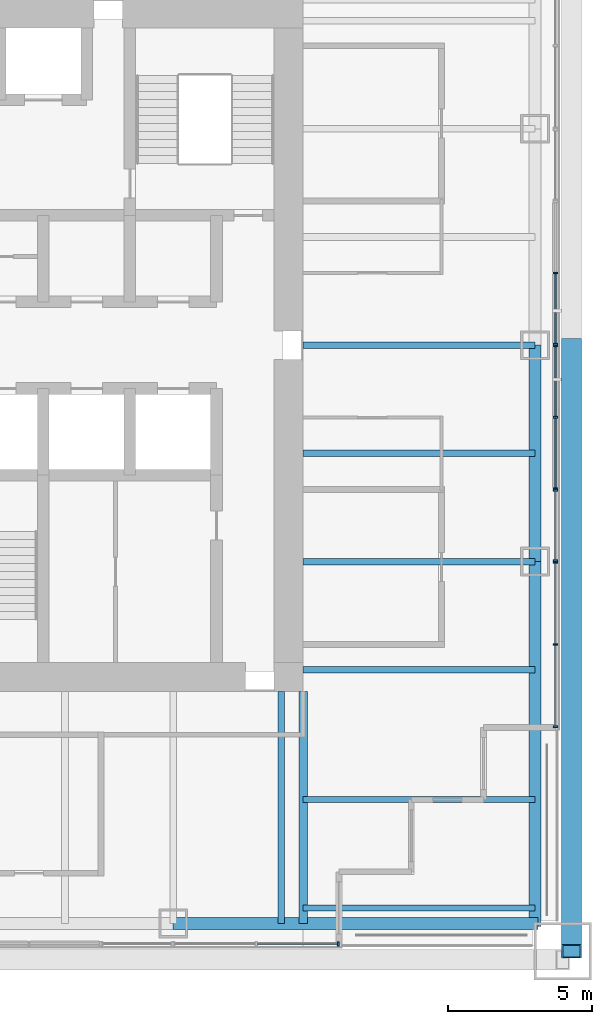
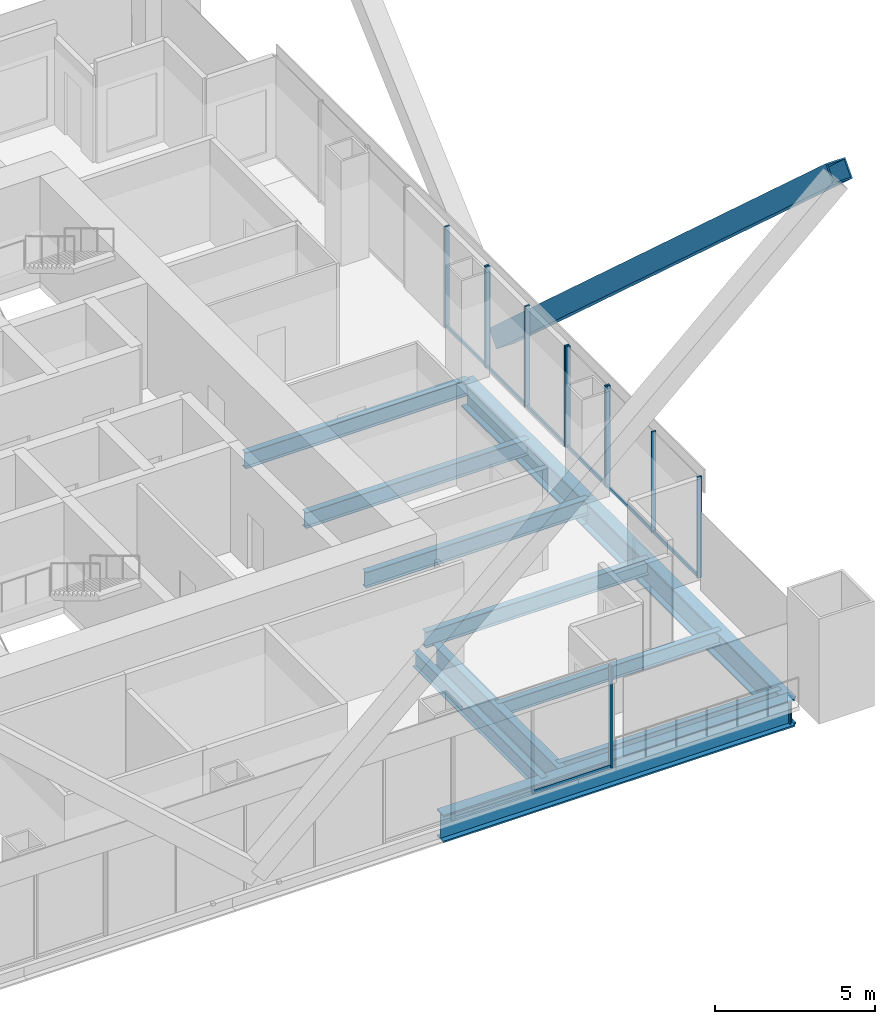
# One storey, part 7 of 17: 19 members, 11 beams, 5 elements without a shape of their own.
"""IFC4 building model written with IfcOpenShell, lengths in metres."""

import ifcopenshell
import ifcopenshell.guid

model = None  # the IFC model being written
_history = None  # IfcOwnerHistory: only IFC2X3 demands one
_inside = {}  # id of a spatial element -> (the spatial element, [elements in it])
_under = {}  # id of a project, library or spatial element -> (it, [spatial elements below it])
_declared = {}  # id of a project -> (the project, [libraries it declares])
_typed = {}  # id of a type object -> (the type object, [elements of that type])
_made_of = {}  # id of a material, layer set ... -> (it, [elements and type objects made of it])


def new_model(schema):
    """Start an empty IFC model of exactly this schema.

    Asked for "IFC4X3", IfcOpenShell would pick the latest addendum, in which some entities
    have other attributes; the version numbers below select the first issue.
    IFC2X3 requires an IfcOwnerHistory on every rooted entity: one is made here for all.
    """
    global model, _history
    if schema == "IFC4X3":
        model = ifcopenshell.file(schema_version=(4, 3, 0, 0))
    else:
        model = ifcopenshell.file(schema=schema)
    _inside.clear()
    _under.clear()
    _declared.clear()
    _typed.clear()
    _made_of.clear()
    _history = None
    if model.schema == "IFC2X3":
        org = make("IfcOrganization", Name="unknown")
        user = make(
            "IfcPersonAndOrganization",
            ThePerson=make("IfcPerson", FamilyName="unknown"),
            TheOrganization=org,
        )
        app = make(
            "IfcApplication",
            ApplicationDeveloper=org,
            Version="unknown",
            ApplicationFullName="unknown",
            ApplicationIdentifier="unknown",
        )
        _history = make(
            "IfcOwnerHistory",
            OwningUser=user,
            OwningApplication=app,
            ChangeAction="ADDED",
            CreationDate=0,
        )
    return model


def make(cls, **values):
    """One entity of the class cls with the attributes given. An attribute that is None is left unset."""
    return model.create_entity(
        cls, **{name: value for name, value in values.items() if value is not None}
    )


def rooted(cls, **values):
    """An entity with a GlobalId (a new one), such as an element, a storey or a relation."""
    return make(cls, GlobalId=ifcopenshell.guid.new(), OwnerHistory=_history, **values)


def si_unit(unit_type, name, prefix=None):
    """IfcSIUnit, for example si_unit("LENGTHUNIT", "METRE", prefix="MILLI")."""
    return make("IfcSIUnit", UnitType=unit_type, Prefix=prefix, Name=name)


def assignment(units):
    """IfcUnitAssignment: the units of a project."""
    return None if units is None else make("IfcUnitAssignment", Units=units)


def point(xyz):
    """IfcCartesianPoint."""
    return None if xyz is None else make("IfcCartesianPoint", Coordinates=xyz)


def direction(xyz):
    """IfcDirection."""
    return None if xyz is None else make("IfcDirection", DirectionRatios=xyz)


def frame(location, z_axis=None, x_axis=None):
    """IfcAxis2Placement3D, a coordinate frame: its origin and axes. An axis left out is left unset."""
    return make(
        "IfcAxis2Placement3D",
        Location=point(location),
        Axis=direction(z_axis),
        RefDirection=direction(x_axis),
    )


def frame_2d(location, x_axis=None):
    """IfcAxis2Placement2D, a coordinate frame in the plane: its origin and x axis."""
    return make(
        "IfcAxis2Placement2D", Location=point(location), RefDirection=direction(x_axis)
    )


def origin():
    """The frame at (0, 0, 0) with its axes left unset."""
    return frame((0.0, 0.0, 0.0))


def origin_2d():
    """The frame at (0, 0) in the plane with its x axis left unset."""
    return frame_2d((0.0, 0.0))


def place(relative_to, where):
    """IfcLocalPlacement: puts the frame where relative to a parent placement (None: the world)."""
    return make(
        "IfcLocalPlacement", PlacementRelTo=relative_to, RelativePlacement=where
    )


def context(
    kind, dimensions, precision=None, world=None, true_north=None, identifier=None
):
    """IfcGeometricRepresentationContext, for example the 3D "Model" context."""
    return make(
        "IfcGeometricRepresentationContext",
        ContextIdentifier=identifier,
        ContextType=kind,
        CoordinateSpaceDimension=dimensions,
        Precision=precision,
        WorldCoordinateSystem=world,
        TrueNorth=true_north,
    )


def subcontext(parent, identifier, kind, view, scale=None):
    """IfcGeometricRepresentationSubContext, for example "Body" below "Model"."""
    return make(
        "IfcGeometricRepresentationSubContext",
        ContextIdentifier=identifier,
        ContextType=kind,
        ParentContext=parent,
        TargetScale=scale,
        TargetView=view,
    )


def project(units=None, contexts=None):
    """IfcProject with its units and contexts."""
    return rooted(
        "IfcProject",
        Name="project",
        RepresentationContexts=contexts,
        UnitsInContext=assignment(units),
    )


def spatial(cls, under=None, at=None, **own):
    """A site, building, storey or space (cls), placed at a placement, below another one or the project."""
    s = rooted(cls, ObjectPlacement=at, **own)
    if under is not None:
        _under.setdefault(under.id(), (under, []))[1].append(s)
    return s


def profile(cls, at=None, kind="AREA", **sizes):
    """A parametric profile (cls). Its sizes go by their IFC names, for example OverallWidth=200.0."""
    return make(cls, ProfileType=kind, Position=at, **sizes)


def rectangle(**sizes):
    """IfcRectangleProfileDef."""
    return profile("IfcRectangleProfileDef", **sizes)


def hollow_rectangle(**sizes):
    """IfcRectangleHollowProfileDef."""
    return profile("IfcRectangleHollowProfileDef", **sizes)


def i_section(**sizes):
    """IfcIShapeProfileDef."""
    return profile("IfcIShapeProfileDef", **sizes)


def extrude(swept, where, along, depth):
    """IfcExtrudedAreaSolid: the profile swept, set in the frame where, extruded along a direction by depth."""
    return make(
        "IfcExtrudedAreaSolid",
        SweptArea=swept,
        Position=where,
        ExtrudedDirection=direction(along),
        Depth=depth,
    )


def shape(context_of_items, identifier, shape_type, items):
    """IfcShapeRepresentation: the items that make up one representation, for example the "Body"."""
    return make(
        "IfcShapeRepresentation",
        ContextOfItems=context_of_items,
        RepresentationIdentifier=identifier,
        RepresentationType=shape_type,
        Items=items,
    )


def material(Name=None, Category=None):
    """IfcMaterial."""
    return make("IfcMaterial", Name=Name, Category=Category)


def material_profile(
    of_material, cross_section, Name=None, Category=None, Priority=None
):
    """IfcMaterialProfile: a cross section and its material."""
    return make(
        "IfcMaterialProfile",
        Name=Name,
        Material=of_material,
        Profile=cross_section,
        Priority=Priority,
        Category=Category,
    )


def profile_set(profiles, Name=None, composite=None):
    """IfcMaterialProfileSet."""
    return make(
        "IfcMaterialProfileSet",
        Name=Name,
        MaterialProfiles=profiles,
        CompositeProfile=composite,
    )


def made_of(thing, what):
    """Note that an element or type object is made of a material, layer set ...; save() writes the relation."""
    if what is not None:
        _made_of.setdefault(what.id(), (what, []))[1].append(thing)
    return thing


def type_object(cls, material=None, **own):
    """A type object (cls), such as IfcWallType, which elements share."""
    return made_of(rooted(cls, **own), material)


def element(
    cls,
    number,
    at=None,
    inside=None,
    cuts=None,
    type_object=None,
    material=None,
    context=None,
    identifier="Body",
    shape_type=None,
    held_by="IfcProductDefinitionShape",
    body=None,
    shapes=None,
    **own,
):
    """One element of the class cls, such as IfcWall. Its Tag is "e" and its number.

    at: its placement. inside: the storey or other place that contains it. cuts: it is an
    opening in that element (IfcRelVoidsElement). A single representation is given by context,
    identifier, shape_type and body (its items); several are given by shapes. held_by: the class
    of the entity that holds the representations. save() writes the other relations.
    """
    e = rooted(cls, Tag="e%d" % number, ObjectPlacement=at, **own)
    if body is not None:
        shapes = [shape(context, identifier, shape_type, body)]
    if shapes is not None:
        e.Representation = make(held_by, Representations=shapes)
    if inside is not None:
        _inside.setdefault(inside.id(), (inside, []))[1].append(e)
    if cuts is not None:
        rooted(
            "IfcRelVoidsElement", RelatingBuildingElement=cuts, RelatedOpeningElement=e
        )
    if type_object is not None:
        _typed.setdefault(type_object.id(), (type_object, []))[1].append(e)
    return made_of(e, material)


def aggregate(whole, parts):
    """IfcRelAggregates: a whole, such as a stair, and the parts it consists of."""
    return rooted("IfcRelAggregates", RelatingObject=whole, RelatedObjects=parts)


def save(model, path):
    """Write the relations noted so far, then the file.

    IfcRelAggregates (storeys below a building ...), IfcRelContainedInSpatialStructure (elements
    in a storey), IfcRelDefinesByType, IfcRelAssociatesMaterial and IfcRelDeclares: one each for
    every whole, place, type object, material and project.
    """
    for whole, parts in _under.values():
        aggregate(whole, parts)
    for where, things in _inside.values():
        rooted(
            "IfcRelContainedInSpatialStructure",
            RelatedElements=things,
            RelatingStructure=where,
        )
    for kind, things in _typed.values():
        rooted("IfcRelDefinesByType", RelatedObjects=things, RelatingType=kind)
    for what, things in _made_of.values():
        rooted("IfcRelAssociatesMaterial", RelatedObjects=things, RelatingMaterial=what)
    for by, libraries in _declared.values():
        rooted("IfcRelDeclares", RelatingContext=by, RelatedDefinitions=libraries)
    model.write(path)


model = new_model("IFC4")

# Units and contexts
model_context = context("Model", 3, precision=1e-05, world=origin(), true_north=direction((0.0, 1.0)))
body_context = subcontext(model_context, "Body", "Model", "MODEL_VIEW")
ifc_project = project(units=[si_unit("LENGTHUNIT", "METRE"), si_unit("AREAUNIT", "SQUARE_METRE"), si_unit("VOLUMEUNIT", "CUBIC_METRE"), si_unit("PLANEANGLEUNIT", "RADIAN"), si_unit("MASSUNIT", "GRAM", prefix="KILO")], contexts=[model_context])

# Site, building, storey
site_placement = place(None, origin())
site = spatial("IfcSite", under=ifc_project, at=site_placement, CompositionType="ELEMENT")
building_placement = place(site_placement, origin())
building = spatial("IfcBuilding", under=site, at=building_placement, Name="Tarangal Relay Tower", CompositionType="ELEMENT")
storey_placement = place(building_placement, frame((0.0, 0.0, 315.89990234375)))
storey = spatial("IfcBuildingStorey", under=building, at=storey_placement, Name="L70", CompositionType="ELEMENT", Elevation=315.89990234375)

# Beams
ifc_material_1 = material(Name="Steel ASTM A992", Category="steel")
ifc_material_profile_1 = material_profile(ifc_material_1, i_section(OverallWidth=0.209228515625, OverallDepth=0.533447265625, WebThickness=0.01025390625, FlangeThickness=0.015625, at=origin_2d()), Name="W21X62")
ifc_profile_set_1 = profile_set([ifc_material_profile_1], Name="Steel ASTM A992")
beam_type_1 = type_object("IfcBeamType", Name="Corner beam W21X62", PredefinedType="JOIST", material=ifc_profile_set_1)
for number, where, z_axis, x_axis, name in (
    (1, (12.0, -15.75, -0.41650390625), (1.0, 0.0, 0.0), (0.0, 1.0, 0.0), "Corner beam CB12 E L70"),
    (2, (12.0, -19.5, -0.41650390625), (1.0, 0.0, 0.0), (0.0, 1.0, 0.0), "Corner beam CB12 E L70"),
):
    element("IfcBeam", number, at=place(storey_placement, frame(where, z_axis=z_axis, x_axis=x_axis)), inside=storey, type_object=beam_type_1, Name=name, PredefinedType="JOIST", context=body_context, shape_type="SweptSolid", body=[
        extrude(i_section(OverallWidth=0.209228515625, OverallDepth=0.533447265625, WebThickness=0.01025390625, FlangeThickness=0.015625, at=origin_2d()), origin(), (0.0, 0.0, 1.0), 8.0400390625),
    ])
ifc_material_profile_2 = material_profile(ifc_material_1, i_section(OverallWidth=0.2919921875, OverallDepth=0.8408203125, WebThickness=0.0146484375, FlangeThickness=0.021728515625, at=origin_2d()), Name="W33X130")
ifc_profile_set_2 = profile_set([ifc_material_profile_2], Name="Steel ASTM A992")
beam_type_2 = type_object("IfcBeamType", Name="Corner girder W33X130", PredefinedType="BEAM", material=ifc_profile_set_2)
beam_1_placement = place(storey_placement, frame((12.0, -12.0, -0.5703125), z_axis=(0.0, -1.0, 0.0), x_axis=(1.0, 0.0, 0.0)))
element("IfcBeam", 3, at=beam_1_placement, inside=storey, type_object=beam_type_2, Name="Corner girder CG5 E L70", PredefinedType="BEAM", context=body_context, shape_type="SweptSolid", body=[
    extrude(i_section(OverallWidth=0.2919921875, OverallDepth=0.8408203125, WebThickness=0.0146484375, FlangeThickness=0.021728515625, at=origin_2d()), origin(), (0.0, 0.0, 1.0), 8.0400390625),
])
ifc_material_profile_3 = material_profile(ifc_material_1, i_section(OverallWidth=0.41162109375, OverallDepth=1.049072265625, WebThickness=0.033935546875, FlangeThickness=0.059814453125, at=origin_2d()), Name="W40X431")
ifc_profile_set_3 = profile_set([ifc_material_profile_3], Name="Steel ASTM A992")
beam_type_3 = type_object("IfcBeamType", Name="Edge girder W40X431", PredefinedType="SPANDREL", material=ifc_profile_set_3)
beam_2_placement = place(storey_placement, frame((20.0400390625, 0.0, -0.67431640625), z_axis=(0.0, -1.0, 0.0), x_axis=(1.0, 0.0, 0.0)))
element("IfcBeam", 4, at=beam_2_placement, inside=storey, type_object=beam_type_3, Name="Edge girder EG1 E L70", PredefinedType="SPANDREL", context=body_context, shape_type="SweptSolid", body=[
    extrude(i_section(OverallWidth=0.41162109375, OverallDepth=1.049072265625, WebThickness=0.033935546875, FlangeThickness=0.059814453125, at=origin_2d()), origin(), (0.0, 0.0, 1.0), 7.5),
])
for number, where, z_axis, x_axis, name in (
    (5, (20.0400390625, -7.5, -0.67431640625), (0.0, -1.0, 0.0), (1.0, 0.0, 0.0), "Edge girder EG1 E L70"),
    (6, (20.14990234375, -20.0400390625, -0.67431640625), (-1.0, 0.0, 0.0), (0.0, -1.0, 0.0), "Edge girder EG1 S L70"),
):
    element("IfcBeam", number, at=place(storey_placement, frame(where, z_axis=z_axis, x_axis=x_axis)), inside=storey, type_object=beam_type_3, Name=name, PredefinedType="SPANDREL", context=body_context, shape_type="SweptSolid", body=[
        extrude(i_section(OverallWidth=0.41162109375, OverallDepth=1.049072265625, WebThickness=0.033935546875, FlangeThickness=0.059814453125, at=origin_2d()), origin(), (0.0, 0.0, 1.0), 12.64990234375),
    ])
ifc_material_profile_4 = material_profile(ifc_material_1, i_section(OverallWidth=0.228271484375, OverallDepth=0.607177734375, WebThickness=0.01123046875, FlangeThickness=0.017333984375, at=origin_2d()), Name="W24X76")
ifc_profile_set_4 = profile_set([ifc_material_profile_4], Name="Steel ASTM A992")
beam_type_4 = type_object("IfcBeamType", Name="Floor beam W24X76", PredefinedType="BEAM", material=ifc_profile_set_4)
for number, where, z_axis, x_axis, name in (
    (7, (12.0, 0.0, -0.453369140625), (1.0, 0.0, 0.0), (0.0, 1.0, 0.0), "Floor beam RB5 E L70"),
    (8, (12.0, -3.75, -0.453369140625), (1.0, 0.0, 0.0), (0.0, 1.0, 0.0), "Floor beam RB5 E L70"),
    (9, (12.0, -7.5, -0.453369140625), (1.0, 0.0, 0.0), (0.0, 1.0, 0.0), "Floor beam RB5 E L70"),
    (10, (12.0, -11.25, -0.453369140625), (1.0, 0.0, 0.0), (0.0, 1.0, 0.0), "Floor beam RB5 E L70"),
    (11, (11.25, -12.0, -0.453369140625), (0.0, -1.0, 0.0), (1.0, 0.0, 0.0), "Floor beam RB5 S L70"),
):
    element("IfcBeam", number, at=place(storey_placement, frame(where, z_axis=z_axis, x_axis=x_axis)), inside=storey, type_object=beam_type_4, Name=name, PredefinedType="BEAM", context=body_context, shape_type="SweptSolid", body=[
        extrude(i_section(OverallWidth=0.228271484375, OverallDepth=0.607177734375, WebThickness=0.01123046875, FlangeThickness=0.017333984375, at=origin_2d()), origin(), (0.0, 0.0, 1.0), 8.0400390625),
    ])

# Member
ifc_material_2 = material(Name="Steel ASTM A572 Grade 50", Category="steel")
ifc_material_profile_5 = material_profile(ifc_material_2, hollow_rectangle(XDim=0.699951171875, YDim=0.699951171875, WallThickness=0.052001953125, at=origin_2d()), Name="BOX700X700X52")
ifc_profile_set_5 = profile_set([ifc_material_profile_5], Name="Steel ASTM A572 Grade 50")
member_type_1 = type_object("IfcMemberType", Name="Mega brace BOX700X700X52", PredefinedType="BRACE", material=ifc_profile_set_5)
member_1_placement = place(storey_placement, frame((21.300048828125, 0.0, 1.0), z_axis=(0.0, -0.741535779124, 0.670913323969), x_axis=(1.0, 0.0, 0.0)))
element("IfcMember", 12, at=member_1_placement, inside=storey, type_object=member_type_1, Name="Mega brace MB4 E face module 2", PredefinedType="BRACE", context=body_context, shape_type="SweptSolid", body=[
    extrude(hollow_rectangle(XDim=0.699951171875, YDim=0.699951171875, WallThickness=0.052001953125, at=origin_2d()), origin(), (0.0, 0.0, 1.0), 28.319580078125),
])

# Curtain wall, members
ifc_material_3 = material(Name="Unitised curtain wall, dark glass and black aluminium", Category="aluminium")
curtain_wall_type_1 = type_object("IfcCurtainWallType", Name="Curtain wall CW-B", PredefinedType="USERDEFINED", material=ifc_material_3)
curtain_wall_1_placement = place(storey_placement, origin())
curtain_wall_1 = element("IfcCurtainWall", 13, at=curtain_wall_1_placement, inside=storey, type_object=curtain_wall_type_1, Name="Curtain wall CW-B E facade L70", ObjectType="UNITISED CURTAIN WALL", PredefinedType="USERDEFINED")
ifc_material_4 = material(Name="Black anodised aluminium mullion", Category="aluminium")
ifc_material_profile_6 = material_profile(ifc_material_4, rectangle(XDim=0.159912109375, YDim=0.06005859375, at=origin_2d()), Name="CW-BM 60X160")
ifc_profile_set_6 = profile_set([ifc_material_profile_6], Name="Black anodised aluminium mullion")
member_type_2 = type_object("IfcMemberType", Name="Mullion CW-B 60 x 160", PredefinedType="MULLION", material=ifc_profile_set_6)
member_2_placement = place(storey_placement, frame((20.75, -5.030029296875, 0.0), z_axis=(0.0, 0.0, 1.0), x_axis=(1.0, 0.0, 0.0)))
member_2 = element("IfcMember", 14, at=member_2_placement, type_object=member_type_2, Name="CW-B mullion 1", PredefinedType="MULLION", context=body_context, shape_type="SweptSolid", body=[
    extrude(rectangle(XDim=0.159912109375, YDim=0.06005859375, at=origin_2d()), origin(), (0.0, 0.0, 1.0), 3.85009765625),
])
member_3_placement = place(storey_placement, frame((20.75, -7.469970703125, 0.0), z_axis=(0.0, 0.0, 1.0), x_axis=(1.0, 0.0, 0.0)))
member_3 = element("IfcMember", 15, at=member_3_placement, type_object=member_type_2, Name="CW-B mullion 2", PredefinedType="MULLION", context=body_context, shape_type="SweptSolid", body=[
    extrude(rectangle(XDim=0.159912109375, YDim=0.06005859375, at=origin_2d()), origin(), (0.0, 0.0, 1.0), 3.85009765625),
])

curtain_wall_2_placement = place(storey_placement, origin())
curtain_wall_2 = element("IfcCurtainWall", 16, at=curtain_wall_2_placement, inside=storey, type_object=curtain_wall_type_1, Name="Curtain wall CW-B E facade L70", ObjectType="UNITISED CURTAIN WALL", PredefinedType="USERDEFINED")
member_4_placement = place(storey_placement, frame((20.75, -7.530029296875, 0.0), z_axis=(0.0, 0.0, 1.0), x_axis=(1.0, 0.0, 0.0)))
member_4 = element("IfcMember", 17, at=member_4_placement, type_object=member_type_2, Name="CW-B mullion 1", PredefinedType="MULLION", context=body_context, shape_type="SweptSolid", body=[
    extrude(rectangle(XDim=0.159912109375, YDim=0.06005859375, at=origin_2d()), origin(), (0.0, 0.0, 1.0), 3.85009765625),
])
member_5_placement = place(storey_placement, frame((20.75, -10.375, 0.0), z_axis=(0.0, 0.0, 1.0), x_axis=(1.0, 0.0, 0.0)))
member_5 = element("IfcMember", 18, at=member_5_placement, type_object=member_type_2, Name="CW-B mullion 2", PredefinedType="MULLION", context=body_context, shape_type="SweptSolid", body=[
    extrude(rectangle(XDim=0.159912109375, YDim=0.06005859375, at=origin_2d()), origin(), (0.0, 0.0, 1.0), 3.85009765625),
])
member_6_placement = place(storey_placement, frame((20.75, -13.219970703125, 0.0), z_axis=(0.0, 0.0, 1.0), x_axis=(1.0, 0.0, 0.0)))
member_6 = element("IfcMember", 19, at=member_6_placement, type_object=member_type_2, Name="CW-B mullion 3", PredefinedType="MULLION", context=body_context, shape_type="SweptSolid", body=[
    extrude(rectangle(XDim=0.159912109375, YDim=0.06005859375, at=origin_2d()), origin(), (0.0, 0.0, 1.0), 3.85009765625),
])

# Curtain wall, member
curtain_wall_3_placement = place(storey_placement, origin())
curtain_wall_3 = element("IfcCurtainWall", 20, at=curtain_wall_3_placement, inside=storey, type_object=curtain_wall_type_1, Name="Curtain wall CW-B S facade L70", ObjectType="UNITISED CURTAIN WALL", PredefinedType="USERDEFINED")
member_7_placement = place(storey_placement, frame((13.219970703125, -20.75, 0.0), z_axis=(0.0, 0.0, 1.0), x_axis=(0.0, -1.0, 0.0)))
member_7 = element("IfcMember", 21, at=member_7_placement, type_object=member_type_2, Name="CW-B mullion 1", PredefinedType="MULLION", context=body_context, shape_type="SweptSolid", body=[
    extrude(rectangle(XDim=0.159912109375, YDim=0.06005859375, at=origin_2d()), origin(), (0.0, 0.0, 1.0), 3.85009765625),
])

# Curtain wall, members
ifc_material_5 = material(Name="Unitised curtain wall frame, black aluminium, with metal clad infill walls", Category="aluminium")
curtain_wall_type_2 = type_object("IfcCurtainWallType", Name="Curtain wall CW-BO", PredefinedType="USERDEFINED", material=ifc_material_5)
curtain_wall_4_placement = place(storey_placement, origin())
curtain_wall_4 = element("IfcCurtainWall", 22, at=curtain_wall_4_placement, inside=storey, type_object=curtain_wall_type_2, Name="Curtain wall CW-BO E facade L70", ObjectType="UNITISED CURTAIN WALL", PredefinedType="USERDEFINED")
ifc_material_profile_7 = material_profile(ifc_material_4, rectangle(XDim=0.159912109375, YDim=0.06005859375, at=origin_2d()), Name="CW-BOM 60X160")
ifc_profile_set_7 = profile_set([ifc_material_profile_7], Name="Black anodised aluminium mullion")
member_type_3 = type_object("IfcMemberType", Name="Mullion CW-BO 60 x 160", PredefinedType="MULLION", material=ifc_profile_set_7)
member_8_placement = place(storey_placement, frame((20.75, 2.5, 0.0), z_axis=(0.0, 0.0, 1.0), x_axis=(1.0, 0.0, 0.0)))
member_8 = element("IfcMember", 23, at=member_8_placement, type_object=member_type_3, Name="CW-BO mullion 2", PredefinedType="MULLION", context=body_context, shape_type="SweptSolid", body=[
    extrude(rectangle(XDim=0.159912109375, YDim=0.06005859375, at=origin_2d()), origin(), (0.0, 0.0, 1.0), 3.85009765625),
])
member_9_placement = place(storey_placement, frame((20.75, 0.030029296875, 0.0), z_axis=(0.0, 0.0, 1.0), x_axis=(1.0, 0.0, 0.0)))
member_9 = element("IfcMember", 24, at=member_9_placement, type_object=member_type_3, Name="CW-BO mullion 3", PredefinedType="MULLION", context=body_context, shape_type="SweptSolid", body=[
    extrude(rectangle(XDim=0.159912109375, YDim=0.06005859375, at=origin_2d()), origin(), (0.0, 0.0, 1.0), 3.85009765625),
])

curtain_wall_5_placement = place(storey_placement, origin())
curtain_wall_5 = element("IfcCurtainWall", 25, at=curtain_wall_5_placement, inside=storey, type_object=curtain_wall_type_2, Name="Curtain wall CW-BO E facade L70", ObjectType="UNITISED CURTAIN WALL", PredefinedType="USERDEFINED")
member_10_placement = place(storey_placement, frame((20.75, -0.030029296875, 0.0), z_axis=(0.0, 0.0, 1.0), x_axis=(1.0, 0.0, 0.0)))
member_10 = element("IfcMember", 26, at=member_10_placement, type_object=member_type_3, Name="CW-BO mullion 1", PredefinedType="MULLION", context=body_context, shape_type="SweptSolid", body=[
    extrude(rectangle(XDim=0.159912109375, YDim=0.06005859375, at=origin_2d()), origin(), (0.0, 0.0, 1.0), 3.85009765625),
])
member_11_placement = place(storey_placement, frame((20.75, -2.5, 0.0), z_axis=(0.0, 0.0, 1.0), x_axis=(1.0, 0.0, 0.0)))
member_11 = element("IfcMember", 27, at=member_11_placement, type_object=member_type_3, Name="CW-BO mullion 2", PredefinedType="MULLION", context=body_context, shape_type="SweptSolid", body=[
    extrude(rectangle(XDim=0.159912109375, YDim=0.06005859375, at=origin_2d()), origin(), (0.0, 0.0, 1.0), 3.85009765625),
])
member_12_placement = place(storey_placement, frame((20.75, -4.969970703125, 0.0), z_axis=(0.0, 0.0, 1.0), x_axis=(1.0, 0.0, 0.0)))
member_12 = element("IfcMember", 28, at=member_12_placement, type_object=member_type_3, Name="CW-BO mullion 3", PredefinedType="MULLION", context=body_context, shape_type="SweptSolid", body=[
    extrude(rectangle(XDim=0.159912109375, YDim=0.06005859375, at=origin_2d()), origin(), (0.0, 0.0, 1.0), 3.85009765625),
])

# Member
ifc_material_6 = material(Name="Black anodised aluminium transom", Category="aluminium")
ifc_material_profile_8 = material_profile(ifc_material_6, rectangle(XDim=0.06005859375, YDim=0.1298828125, at=origin_2d()), Name="CW-BT 60X130")
ifc_profile_set_8 = profile_set([ifc_material_profile_8], Name="Black anodised aluminium transom")
member_type_4 = type_object("IfcMemberType", Name="Transom CW-B 60 x 130", PredefinedType="USERDEFINED", material=ifc_profile_set_8)
member_13_placement = place(storey_placement, frame((20.75, -5.06005859375, 0.030029296875), z_axis=(0.0, -1.0, 0.0), x_axis=(1.0, 0.0, 0.0)))
member_13 = element("IfcMember", 29, at=member_13_placement, type_object=member_type_4, Name="CW-B transom 1.1", ObjectType="TRANSOM", PredefinedType="USERDEFINED", context=body_context, shape_type="SweptSolid", body=[
    extrude(rectangle(XDim=0.06005859375, YDim=0.1298828125, at=origin_2d()), origin(), (0.0, 0.0, 1.0), 2.3798828125),
])

aggregate(curtain_wall_1, [member_2, member_3, member_13])

member_14_placement = place(storey_placement, frame((20.75, -7.56005859375, 0.030029296875), z_axis=(0.0, -1.0, 0.0), x_axis=(1.0, 0.0, 0.0)))
member_14 = element("IfcMember", 30, at=member_14_placement, type_object=member_type_4, Name="CW-B transom 1.1", ObjectType="TRANSOM", PredefinedType="USERDEFINED", context=body_context, shape_type="SweptSolid", body=[
    extrude(rectangle(XDim=0.06005859375, YDim=0.1298828125, at=origin_2d()), origin(), (0.0, 0.0, 1.0), 2.784912109375),
])

member_15_placement = place(storey_placement, frame((20.75, -10.405029296875, 0.030029296875), z_axis=(0.0, -1.0, 0.0), x_axis=(1.0, 0.0, 0.0)))
member_15 = element("IfcMember", 31, at=member_15_placement, type_object=member_type_4, Name="CW-B transom 2.1", ObjectType="TRANSOM", PredefinedType="USERDEFINED", context=body_context, shape_type="SweptSolid", body=[
    extrude(rectangle(XDim=0.06005859375, YDim=0.1298828125, at=origin_2d()), origin(), (0.0, 0.0, 1.0), 2.784912109375),
])

aggregate(curtain_wall_2, [member_4, member_5, member_6, member_14, member_15])

member_16_placement = place(storey_placement, frame((13.18994140625, -20.75, 0.030029296875), z_axis=(-1.0, 0.0, 0.0), x_axis=(0.0, -1.0, 0.0)))
member_16 = element("IfcMember", 32, at=member_16_placement, type_object=member_type_4, Name="CW-B transom 1.1", ObjectType="TRANSOM", PredefinedType="USERDEFINED", context=body_context, shape_type="SweptSolid", body=[
    extrude(rectangle(XDim=0.06005859375, YDim=0.1298828125, at=origin_2d()), origin(), (0.0, 0.0, 1.0), 2.784912109375),
])

aggregate(curtain_wall_3, [member_7, member_16])

ifc_material_profile_9 = material_profile(ifc_material_6, rectangle(XDim=0.06005859375, YDim=0.1298828125, at=origin_2d()), Name="CW-BOT 60X130")
ifc_profile_set_9 = profile_set([ifc_material_profile_9], Name="Black anodised aluminium transom")
member_type_5 = type_object("IfcMemberType", Name="Transom CW-BO 60 x 130", PredefinedType="USERDEFINED", material=ifc_profile_set_9)
member_17_placement = place(storey_placement, frame((20.75, 2.469970703125, 0.030029296875), z_axis=(0.0, -1.0, 0.0), x_axis=(1.0, 0.0, 0.0)))
member_17 = element("IfcMember", 33, at=member_17_placement, type_object=member_type_5, Name="CW-BO transom 2.1", ObjectType="TRANSOM", PredefinedType="USERDEFINED", context=body_context, shape_type="SweptSolid", body=[
    extrude(rectangle(XDim=0.06005859375, YDim=0.1298828125, at=origin_2d()), origin(), (0.0, 0.0, 1.0), 2.409912109375),
])

aggregate(curtain_wall_4, [member_8, member_9, member_17])

member_18_placement = place(storey_placement, frame((20.75, -0.06005859375, 0.030029296875), z_axis=(0.0, -1.0, 0.0), x_axis=(1.0, 0.0, 0.0)))
member_18 = element("IfcMember", 34, at=member_18_placement, type_object=member_type_5, Name="CW-BO transom 1.1", ObjectType="TRANSOM", PredefinedType="USERDEFINED", context=body_context, shape_type="SweptSolid", body=[
    extrude(rectangle(XDim=0.06005859375, YDim=0.1298828125, at=origin_2d()), origin(), (0.0, 0.0, 1.0), 2.409912109375),
])

member_19_placement = place(storey_placement, frame((20.75, -2.530029296875, 0.030029296875), z_axis=(0.0, -1.0, 0.0), x_axis=(1.0, 0.0, 0.0)))
member_19 = element("IfcMember", 35, at=member_19_placement, type_object=member_type_5, Name="CW-BO transom 2.1", ObjectType="TRANSOM", PredefinedType="USERDEFINED", context=body_context, shape_type="SweptSolid", body=[
    extrude(rectangle(XDim=0.06005859375, YDim=0.1298828125, at=origin_2d()), origin(), (0.0, 0.0, 1.0), 2.409912109375),
])

aggregate(curtain_wall_5, [member_10, member_11, member_12, member_18, member_19])

save(model, "model.ifc")
